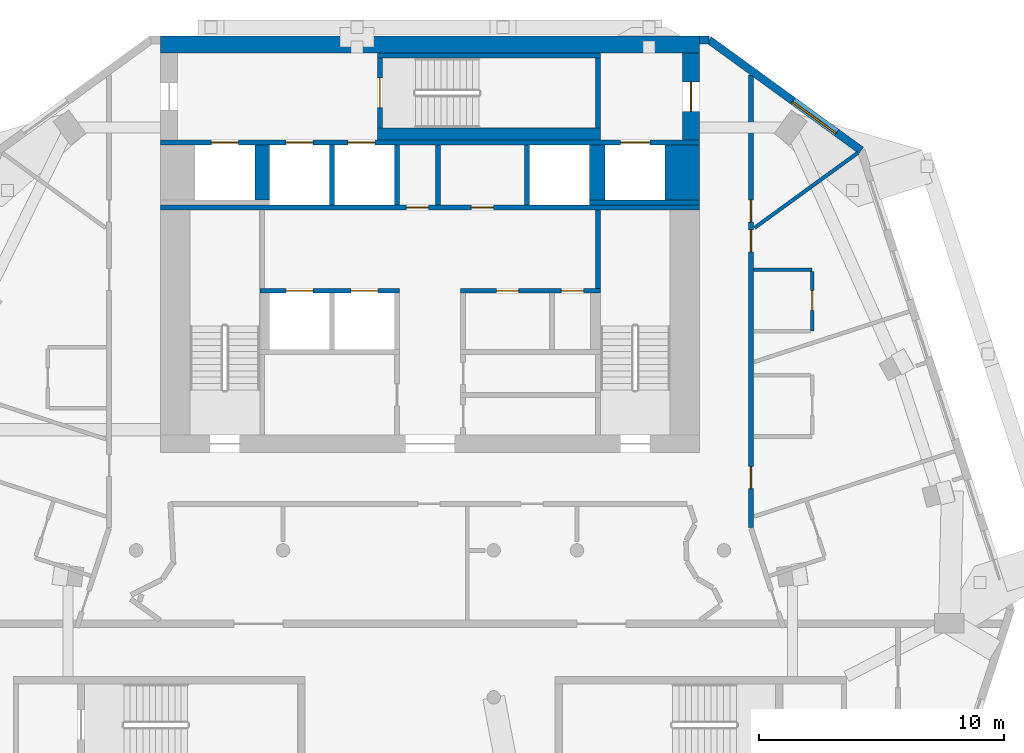
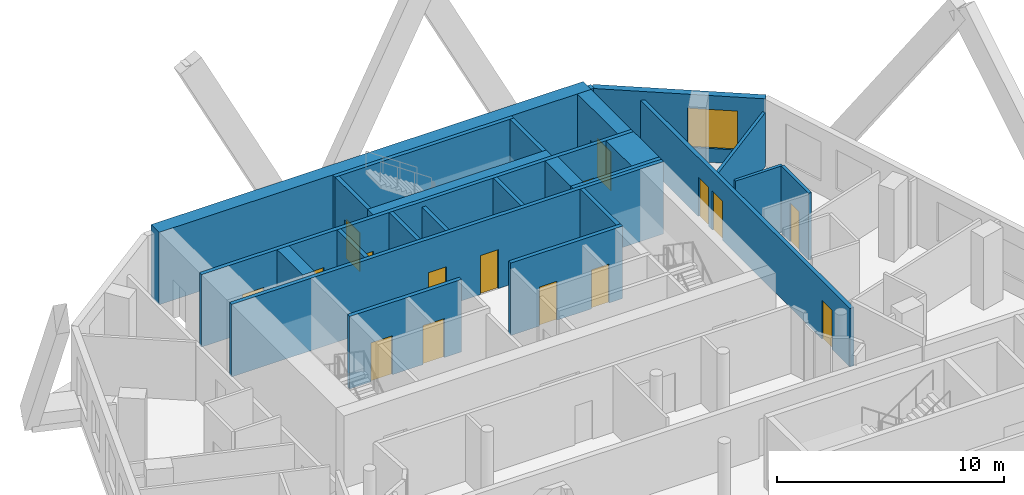
# One storey, part 7 of 10: 25 walls, 16 doors, 1 window, 17 openings.
"""IFC4 building model written with IfcOpenShell, lengths in metres."""

from ifc_helpers import new_model, si_unit, direction, frame, frame_2d, origin, place, context, subcontext, project, spatial, rectangle, extrude, material, layer, layer_set, type_object, element, fill, save


model = new_model("IFC4")

# Units and contexts
model_context = context("Model", 3, precision=1e-05, world=origin(), true_north=direction((0.0, 1.0)))
body_context = subcontext(model_context, "Body", "Model", "MODEL_VIEW")
ifc_project = project(units=[si_unit("LENGTHUNIT", "METRE"), si_unit("AREAUNIT", "SQUARE_METRE"), si_unit("VOLUMEUNIT", "CUBIC_METRE"), si_unit("PLANEANGLEUNIT", "RADIAN"), si_unit("MASSUNIT", "GRAM", prefix="KILO")], contexts=[model_context])

# Site, building, storey
site_placement = place(None, origin())
site = spatial("IfcSite", under=ifc_project, at=site_placement, CompositionType="ELEMENT")
building_placement = place(site_placement, origin())
building = spatial("IfcBuilding", under=site, at=building_placement, Name="White Candle Pilgrim Tower", CompositionType="ELEMENT")
storey_placement = place(building_placement, frame((0.0, 0.0, 248.300048828125)))
storey = spatial("IfcBuildingStorey", under=building, at=storey_placement, Name="L58", CompositionType="ELEMENT", Elevation=248.300048828125)

# Walls
ifc_material_1 = material(Name="Concrete C50/60", Category="concrete")
ifc_layer_1 = layer(ifc_material_1, 1.39990234375)
ifc_layer_set_1 = layer_set([ifc_layer_1], Name="Core wall 1400 mm Concrete C50/60")
wall_type_1 = type_object("IfcWallType", Name="Core wall 1400 mm Concrete C50/60", PredefinedType="SHEAR", material=ifc_layer_set_1)
wall_1_placement = place(storey_placement, frame((80.300048828125, 81.300048828125, 0.0), z_axis=(0.0, 0.0, 1.0), x_axis=(0.0, 1.0, 0.0)))
element("IfcWall", 1, at=wall_1_placement, inside=storey, type_object=wall_type_1, Name="WL-L58-C43", PredefinedType="SHEAR", context=body_context, shape_type="SweptSolid", body=[
    extrude(rectangle(XDim=2.25, YDim=1.39990234375, at=frame_2d((1.125, 0.0))), origin(), (0.0, 0.0, 1.0), 3.89990234375),
])
ifc_layer_2 = layer(ifc_material_1, 0.199951171875)
ifc_layer_set_2 = layer_set([ifc_layer_2], Name="Core wall 200 mm Concrete C50/60")
wall_type_2 = type_object("IfcWallType", Name="Core wall 200 mm Concrete C50/60", PredefinedType="SHEAR", material=ifc_layer_set_2)
wall_2_placement = place(storey_placement, frame((76.5, 81.199951171875, 0.0), z_axis=(0.0, 0.0, 1.0), x_axis=(1.0, 0.0, 0.0)))
element("IfcWall", 2, at=wall_2_placement, inside=storey, type_object=wall_type_2, Name="WL-L58-C39", PredefinedType="SHEAR", context=body_context, shape_type="SweptSolid", body=[
    extrude(rectangle(XDim=4.5, YDim=0.199951171875, at=frame_2d((2.25, 0.0))), origin(), (0.0, 0.0, 1.0), 3.89990234375),
])

# Wall, openings, doors
wall_3_placement = place(storey_placement, frame((59.0, 83.64990234375, 0.0), z_axis=(0.0, 0.0, 1.0), x_axis=(1.0, 0.0, 0.0)))
wall_3 = element("IfcWall", 3, at=wall_3_placement, inside=storey, type_object=wall_type_2, Name="WL-L58-C44", PredefinedType="SHEAR", context=body_context, shape_type="SweptSolid", body=[
    extrude(rectangle(XDim=22.0, YDim=0.199951171875, at=frame_2d((11.0, 0.0))), origin(), (0.0, 0.0, 1.0), 3.89990234375),
])
opening_1_placement = place(wall_3_placement, frame((5.125, 0.0, 0.0)))
opening_1 = element("IfcOpeningElement", 4, at=opening_1_placement, cuts=wall_3, Name="Opening T18-016", PredefinedType="OPENING", context=body_context, shape_type="SweptSolid", body=[
    extrude(rectangle(XDim=1.10009765625, YDim=2.10009765625, at=frame_2d((0.550048828125, 1.050048828125))), frame((0.0, 0.10986328125, 0.0), z_axis=(0.0, -1.0, 0.0), x_axis=(1.0, 0.0, 0.0)), (0.0, 0.0, 1.0), 0.219970703125),
])
opening_2_placement = place(wall_3_placement, frame((7.64990234375, 0.0, 0.0)))
opening_2 = element("IfcOpeningElement", 5, at=opening_2_placement, cuts=wall_3, Name="Opening T18-017", PredefinedType="OPENING", context=body_context, shape_type="SweptSolid", body=[
    extrude(rectangle(XDim=1.10009765625, YDim=2.10009765625, at=frame_2d((0.550048828125, 1.050048828125))), frame((0.0, 0.10986328125, 0.0), z_axis=(0.0, -1.0, 0.0), x_axis=(1.0, 0.0, 0.0)), (0.0, 0.0, 1.0), 0.219970703125),
])
opening_3_placement = place(wall_3_placement, frame((18.77490234375, 0.0, 0.0)))
opening_3 = element("IfcOpeningElement", 6, at=opening_3_placement, cuts=wall_3, Name="Opening T18-018", PredefinedType="OPENING", context=body_context, shape_type="SweptSolid", body=[
    extrude(rectangle(XDim=1.199951171875, YDim=2.10009765625, at=frame_2d((0.60009765625, 1.050048828125))), frame((0.0, 0.10986328125, 0.0), z_axis=(0.0, -1.0, 0.0), x_axis=(1.0, 0.0, 0.0)), (0.0, 0.0, 1.0), 0.219970703125),
])
opening_4_placement = place(wall_3_placement, frame((2.074951171875, 0.0, 0.0)))
opening_4 = element("IfcOpeningElement", 7, at=opening_4_placement, cuts=wall_3, Name="Opening T18-019", PredefinedType="OPENING", context=body_context, shape_type="SweptSolid", body=[
    extrude(rectangle(XDim=1.10009765625, YDim=2.10009765625, at=frame_2d((0.550048828125, 1.050048828125))), frame((0.0, 0.10986328125, 0.0), z_axis=(0.0, -1.0, 0.0), x_axis=(1.0, 0.0, 0.0)), (0.0, 0.0, 1.0), 0.219970703125),
])
ifc_material_2 = material(Name="Stainless steel", Category="steel")
door_type_1 = type_object("IfcDoorType", Name="Lift landing door 1100 x 2100 EI 60", OperationType="DOUBLE_DOOR_SLIDING", PredefinedType="DOOR", material=ifc_material_2)
door_1_placement = place(opening_1_placement, origin())
door_1 = element("IfcDoor", 8, at=door_1_placement, inside=storey, type_object=door_type_1, Name="Door T18-016", OperationType="DOUBLE_DOOR_SLIDING", OverallHeight=2.10009765625, OverallWidth=1.10009765625, PredefinedType="DOOR", context=body_context, shape_type="SweptSolid", body=[
    extrude(rectangle(XDim=1.10009765625, YDim=2.10009765625, at=frame_2d((0.550048828125, 1.050048828125))), frame((0.0, 0.02490234375, 0.0), z_axis=(0.0, -1.0, 0.0), x_axis=(1.0, 0.0, 0.0)), (0.0, 0.0, 1.0), 0.050048828125),
])
fill(opening_1, door_1)
door_2_placement = place(opening_2_placement, origin())
door_2 = element("IfcDoor", 9, at=door_2_placement, inside=storey, type_object=door_type_1, Name="Door T18-017", OperationType="DOUBLE_DOOR_SLIDING", OverallHeight=2.10009765625, OverallWidth=1.10009765625, PredefinedType="DOOR", context=body_context, shape_type="SweptSolid", body=[
    extrude(rectangle(XDim=1.10009765625, YDim=2.10009765625, at=frame_2d((0.550048828125, 1.050048828125))), frame((0.0, 0.02490234375, 0.0), z_axis=(0.0, -1.0, 0.0), x_axis=(1.0, 0.0, 0.0)), (0.0, 0.0, 1.0), 0.050048828125),
])
fill(opening_2, door_2)
door_3_placement = place(opening_4_placement, origin())
door_3 = element("IfcDoor", 10, at=door_3_placement, inside=storey, type_object=door_type_1, Name="Door T18-019", OperationType="DOUBLE_DOOR_SLIDING", OverallHeight=2.10009765625, OverallWidth=1.10009765625, PredefinedType="DOOR", context=body_context, shape_type="SweptSolid", body=[
    extrude(rectangle(XDim=1.10009765625, YDim=2.10009765625, at=frame_2d((0.550048828125, 1.050048828125))), frame((0.0, 0.02490234375, 0.0), z_axis=(0.0, -1.0, 0.0), x_axis=(1.0, 0.0, 0.0)), (0.0, 0.0, 1.0), 0.050048828125),
])
fill(opening_4, door_3)
door_type_2 = type_object("IfcDoorType", Name="Lift landing door 1200 x 2100 E 60", OperationType="DOUBLE_DOOR_SLIDING", PredefinedType="DOOR", material=ifc_material_2)
door_4_placement = place(opening_3_placement, origin())
door_4 = element("IfcDoor", 11, at=door_4_placement, inside=storey, type_object=door_type_2, Name="Door T18-018", OperationType="DOUBLE_DOOR_SLIDING", OverallHeight=2.10009765625, OverallWidth=1.199951171875, PredefinedType="DOOR", context=body_context, shape_type="SweptSolid", body=[
    extrude(rectangle(XDim=1.199951171875, YDim=2.10009765625, at=frame_2d((0.60009765625, 1.050048828125))), frame((0.0, 0.02490234375, 0.0), z_axis=(0.0, -1.0, 0.0), x_axis=(1.0, 0.0, 0.0)), (0.0, 0.0, 1.0), 0.050048828125),
])
fill(opening_3, door_4)

# Wall, opening, door
ifc_layer_3 = layer(ifc_material_1, 0.699951171875)
ifc_layer_set_3 = layer_set([ifc_layer_3], Name="Core wall 700 mm Concrete C50/60")
wall_type_3 = type_object("IfcWallType", Name="Core wall 700 mm Concrete C50/60", PredefinedType="SHEAR", material=ifc_layer_set_3)
wall_4_placement = place(storey_placement, frame((80.64990234375, 83.75, 0.0), z_axis=(0.0, 0.0, 1.0), x_axis=(0.0, 1.0, 0.0)))
wall_4 = element("IfcWall", 12, at=wall_4_placement, inside=storey, type_object=wall_type_3, Name="WL-L58-C47", PredefinedType="SHEAR", context=body_context, shape_type="SweptSolid", body=[
    extrude(rectangle(XDim=3.550048828125, YDim=0.699951171875, at=frame_2d((1.77490234375, 0.0))), origin(), (0.0, 0.0, 1.0), 3.89990234375),
])
opening_5_placement = place(wall_4_placement, frame((1.175048828125, 0.0, 0.0)))
opening_5 = element("IfcOpeningElement", 13, at=opening_5_placement, cuts=wall_4, Name="Opening T18-009", PredefinedType="OPENING", context=body_context, shape_type="SweptSolid", body=[
    extrude(rectangle(XDim=1.199951171875, YDim=2.10009765625, at=frame_2d((0.60009765625, 1.050048828125))), frame((0.0, 0.35986328125, 0.0), z_axis=(0.0, -1.0, 0.0), x_axis=(1.0, 0.0, 0.0)), (0.0, 0.0, 1.0), 0.719970703125),
])
ifc_material_3 = material(Name="Steel door leaf", Category="steel")
door_type_3 = type_object("IfcDoorType", Name="Fire door 1200 x 2100 EI 30", OperationType="NOTDEFINED", PredefinedType="DOOR", material=ifc_material_3)
door_5_placement = place(opening_5_placement, origin())
door_5 = element("IfcDoor", 14, at=door_5_placement, inside=storey, type_object=door_type_3, Name="Door T18-009", OperationType="SINGLE_SWING_LEFT", OverallHeight=2.10009765625, OverallWidth=1.199951171875, PredefinedType="DOOR", context=body_context, shape_type="SweptSolid", body=[
    extrude(rectangle(XDim=1.199951171875, YDim=2.10009765625, at=frame_2d((0.60009765625, 1.050048828125))), frame((0.0, 0.02490234375, 0.0), z_axis=(0.0, -1.0, 0.0), x_axis=(1.0, 0.0, 0.0)), (0.0, 0.0, 1.0), 0.050048828125),
])
fill(opening_5, door_5)

# Wall
wall_5_placement = place(storey_placement, frame((59.0, 87.64990234375, 0.0), z_axis=(0.0, 0.0, 1.0), x_axis=(1.0, 0.0, 0.0)))
element("IfcWall", 15, at=wall_5_placement, inside=storey, type_object=wall_type_3, Name="WL-L58-C51", PredefinedType="SHEAR", context=body_context, shape_type="SweptSolid", body=[
    extrude(rectangle(XDim=22.0, YDim=0.699951171875, at=frame_2d((11.0, 0.0))), origin(), (0.0, 0.0, 1.0), 3.89990234375),
])

# Wall, openings, doors
ifc_material_4 = material(Name="Gypsum board on steel studs", Category="steel")
ifc_layer_4 = layer(ifc_material_4, 0.199951171875)
ifc_layer_set_4 = layer_set([ifc_layer_4], Name="Corridor wall 200 mm EI 45")
wall_type_4 = type_object("IfcWallType", Name="Corridor wall 200 mm EI 45", PredefinedType="PARTITIONING", material=ifc_layer_set_4)
wall_6_placement = place(storey_placement, frame((83.10009765625, 86.396240234375, 0.0), z_axis=(0.0, 0.0, 1.0), x_axis=(0.0, -1.0, 0.0)))
wall_6 = element("IfcWall", 16, at=wall_6_placement, inside=storey, type_object=wall_type_4, Name="WL-L58-P004", PredefinedType="PARTITIONING", context=body_context, shape_type="SweptSolid", body=[
    extrude(rectangle(XDim=18.4677734375, YDim=0.199951171875, at=frame_2d((9.23388671875, 0.0))), origin(), (0.0, 0.0, 1.0), 3.14990234375),
])
opening_6_placement = place(wall_6_placement, frame((5.09033203125, 0.0, 0.0)))
opening_6 = element("IfcOpeningElement", 17, at=opening_6_placement, cuts=wall_6, Name="Opening T18-121", PredefinedType="OPENING", context=body_context, shape_type="SweptSolid", body=[
    extrude(rectangle(XDim=0.89990234375, YDim=2.10009765625, at=frame_2d((0.449951171875, 1.050048828125))), frame((0.0, 0.10986328125, 0.0), z_axis=(0.0, -1.0, 0.0), x_axis=(1.0, 0.0, 0.0)), (0.0, 0.0, 1.0), 0.219970703125),
])
opening_7_placement = place(wall_6_placement, frame((6.31396484375, 0.0, 0.0)))
opening_7 = element("IfcOpeningElement", 18, at=opening_7_placement, cuts=wall_6, Name="Opening T18-122", PredefinedType="OPENING", context=body_context, shape_type="SweptSolid", body=[
    extrude(rectangle(XDim=0.89990234375, YDim=2.10009765625, at=frame_2d((0.449951171875, 1.050048828125))), frame((0.0, 0.10986328125, 0.0), z_axis=(0.0, -1.0, 0.0), x_axis=(1.0, 0.0, 0.0)), (0.0, 0.0, 1.0), 0.219970703125),
])
opening_8_placement = place(wall_6_placement, frame((15.977783203125, 0.0, 0.0)))
opening_8 = element("IfcOpeningElement", 19, at=opening_8_placement, cuts=wall_6, Name="Opening T18-123", PredefinedType="OPENING", context=body_context, shape_type="SweptSolid", body=[
    extrude(rectangle(XDim=0.89990234375, YDim=2.10009765625, at=frame_2d((0.449951171875, 1.050048828125))), frame((0.0, 0.10986328125, 0.0), z_axis=(0.0, -1.0, 0.0), x_axis=(1.0, 0.0, 0.0)), (0.0, 0.0, 1.0), 0.219970703125),
])
door_type_4 = type_object("IfcDoorType", Name="Fire door 900 x 2100 EI 30", OperationType="NOTDEFINED", PredefinedType="DOOR", material=ifc_material_3)
door_6_placement = place(opening_6_placement, origin())
door_6 = element("IfcDoor", 20, at=door_6_placement, inside=storey, type_object=door_type_4, Name="Door T18-121", OperationType="SINGLE_SWING_LEFT", OverallHeight=2.10009765625, OverallWidth=0.89990234375, PredefinedType="DOOR", context=body_context, shape_type="SweptSolid", body=[
    extrude(rectangle(XDim=0.89990234375, YDim=2.10009765625, at=frame_2d((0.449951171875, 1.050048828125))), frame((0.0, 0.02490234375, 0.0), z_axis=(0.0, -1.0, 0.0), x_axis=(1.0, 0.0, 0.0)), (0.0, 0.0, 1.0), 0.050048828125),
])
fill(opening_6, door_6)
door_7_placement = place(opening_7_placement, origin())
door_7 = element("IfcDoor", 21, at=door_7_placement, inside=storey, type_object=door_type_4, Name="Door T18-122", OperationType="SINGLE_SWING_RIGHT", OverallHeight=2.10009765625, OverallWidth=0.89990234375, PredefinedType="DOOR", context=body_context, shape_type="SweptSolid", body=[
    extrude(rectangle(XDim=0.89990234375, YDim=2.10009765625, at=frame_2d((0.449951171875, 1.050048828125))), frame((0.0, 0.02490234375, 0.0), z_axis=(0.0, -1.0, 0.0), x_axis=(1.0, 0.0, 0.0)), (0.0, 0.0, 1.0), 0.050048828125),
])
fill(opening_7, door_7)
door_8_placement = place(opening_8_placement, origin())
door_8 = element("IfcDoor", 22, at=door_8_placement, inside=storey, type_object=door_type_4, Name="Door T18-123", OperationType="SINGLE_SWING_LEFT", OverallHeight=2.10009765625, OverallWidth=0.89990234375, PredefinedType="DOOR", context=body_context, shape_type="SweptSolid", body=[
    extrude(rectangle(XDim=0.89990234375, YDim=2.10009765625, at=frame_2d((0.449951171875, 1.050048828125))), frame((0.0, 0.02490234375, 0.0), z_axis=(0.0, -1.0, 0.0), x_axis=(1.0, 0.0, 0.0)), (0.0, 0.0, 1.0), 0.050048828125),
])
fill(opening_8, door_8)

# Wall, opening, window
ifc_material_5 = material(Name="Precast concrete C40/50", Category="concrete")
ifc_layer_5 = layer(ifc_material_5, 0.320068359375)
ifc_layer_set_5 = layer_set([ifc_layer_5], Name="Facade wall EW1 precast concrete C40/50 pier wall with timber-lined reveals")
wall_type_5 = type_object("IfcWallType", Name="Facade wall EW1 precast concrete C40/50 pier wall with timber-lined reveals", PredefinedType="SOLIDWALL", material=ifc_layer_set_5)
wall_7_placement = place(storey_placement, frame((87.5966796875, 83.326904296875, 0.0), z_axis=(0.0, 0.0, 1.0), x_axis=(-0.809008247786, 0.587797290751, 0.0)))
wall_7 = element("IfcWall", 23, at=wall_7_placement, inside=storey, type_object=wall_type_5, Name="Facade wall L58 NE chamfer", PredefinedType="SOLIDWALL", context=body_context, shape_type="SweptSolid", body=[
    extrude(rectangle(XDim=7.67822265625, YDim=0.320068359375, at=frame_2d((3.839111328125, 0.0))), origin(), (0.0, 0.0, 1.0), 3.599853515625),
])
opening_9_placement = place(wall_7_placement, frame((1.239013671875, 0.0, 0.75)))
opening_9 = element("IfcOpeningElement", 24, at=opening_9_placement, cuts=wall_7, Name="Opening W4", PredefinedType="OPENING", context=body_context, shape_type="SweptSolid", body=[
    extrude(rectangle(XDim=2.199951171875, YDim=2.10009765625, at=frame_2d((1.10009765625, 1.050048828125))), frame((0.0, 0.169921875, 0.0), z_axis=(0.0, -1.0, 0.0), x_axis=(1.0, 0.0, 0.0)), (0.0, 0.0, 1.0), 0.340087890625),
])
ifc_material_6 = material(Name="Timber frame with triple glazing", Category="wood")
window_type = type_object("IfcWindowType", Name="Window W4 2200x2100 timber frame triple glazing", PartitioningType="SINGLE_PANEL", PredefinedType="WINDOW", material=ifc_material_6)
window_placement = place(opening_9_placement, origin())
window = element("IfcWindow", 25, at=window_placement, inside=storey, type_object=window_type, Name="Window W4 L58 NE chamfer 1", OverallHeight=2.10009765625, OverallWidth=2.199951171875, PartitioningType="SINGLE_PANEL", PredefinedType="WINDOW", context=body_context, shape_type="SweptSolid", body=[
    extrude(rectangle(XDim=2.199951171875, YDim=2.10009765625, at=frame_2d((1.10009765625, 1.050048828125))), frame((0.0, 0.070068359375, 0.0), z_axis=(0.0, -1.0, 0.0), x_axis=(1.0, 0.0, 0.0)), (0.0, 0.0, 1.0), 0.06005859375),
])
fill(opening_9, window)

# Walls
wall_8_placement = place(storey_placement, frame((81.385009765625, 87.840087890625, 0.0), z_axis=(0.0, 0.0, 1.0), x_axis=(-1.0, 0.0, 0.0)))
element("IfcWall", 26, at=wall_8_placement, inside=storey, type_object=wall_type_5, Name="Facade wall L58 N", PredefinedType="SOLIDWALL", context=body_context, shape_type="SweptSolid", body=[
    extrude(rectangle(XDim=0.385009765625, YDim=0.320068359375, at=frame_2d((0.1923828125, 0.0))), origin(), (0.0, 0.0, 1.0), 3.599853515625),
])
ifc_layer_6 = layer(ifc_material_4, 0.199951171875)
ifc_layer_set_6 = layer_set([ifc_layer_6], Name="Lobby wall 200 mm EI 60")
wall_type_6 = type_object("IfcWallType", Name="Lobby wall 200 mm EI 60", PredefinedType="PARTITIONING", material=ifc_layer_set_6)
wall_9_placement = place(storey_placement, frame((70.320068359375, 81.10009765625, 0.0), z_axis=(0.0, 0.0, 1.0), x_axis=(0.0, 1.0, 0.0)))
element("IfcWall", 27, at=wall_9_placement, inside=storey, type_object=wall_type_6, Name="WL-L58-C37", PredefinedType="PARTITIONING", context=body_context, shape_type="SweptSolid", body=[
    extrude(rectangle(XDim=2.449951171875, YDim=0.199951171875, at=frame_2d((1.22509765625, 0.0))), origin(), (0.0, 0.0, 1.0), 3.599853515625),
])
ifc_layer_7 = layer(ifc_material_4, 0.14990234375)
ifc_layer_set_7 = layer_set([ifc_layer_7], Name="Partition 150 mm EI 60")
wall_type_7 = type_object("IfcWallType", Name="Partition 150 mm EI 60", PredefinedType="PARTITIONING", material=ifc_layer_set_7)
wall_10_placement = place(storey_placement, frame((87.460693359375, 83.22802734375, 0.0), z_axis=(0.0, 0.0, 1.0), x_axis=(-0.809019578294, -0.587781695816, 0.0)))
element("IfcWall", 28, at=wall_10_placement, inside=storey, type_object=wall_type_7, Name="WL-L58-P030", PredefinedType="PARTITIONING", context=body_context, shape_type="SweptSolid", body=[
    extrude(rectangle(XDim=5.2119140625, YDim=0.14990234375, at=frame_2d((2.60595703125, 0.0))), origin(), (0.0, 0.0, 1.0), 2.89990234375),
])
wall_11_placement = place(storey_placement, frame((83.199951171875, 78.451171875, 0.0), z_axis=(0.0, 0.0, 1.0), x_axis=(1.0, 0.0, 0.0)))
element("IfcWall", 29, at=wall_11_placement, inside=storey, type_object=wall_type_7, Name="WL-L58-P051", PredefinedType="PARTITIONING", context=body_context, shape_type="SweptSolid", body=[
    extrude(rectangle(XDim=2.400146484375, YDim=0.14990234375, at=frame_2d((1.2001953125, 0.0))), origin(), (0.0, 0.0, 1.0), 3.599853515625),
])

# Wall, opening, door
wall_12_placement = place(storey_placement, frame((85.60009765625, 75.951171875, 0.0), z_axis=(0.0, 0.0, 1.0), x_axis=(0.0, 1.0, 0.0)))
wall_12 = element("IfcWall", 30, at=wall_12_placement, inside=storey, type_object=wall_type_7, Name="WL-L58-P052", PredefinedType="PARTITIONING", context=body_context, shape_type="SweptSolid", body=[
    extrude(rectangle(XDim=2.425048828125, YDim=0.14990234375, at=frame_2d((1.21240234375, 0.0))), origin(), (0.0, 0.0, 1.0), 3.599853515625),
])
opening_10_placement = place(wall_12_placement, frame((0.85009765625, 0.0, 0.0)))
opening_10 = element("IfcOpeningElement", 31, at=opening_10_placement, cuts=wall_12, Name="Opening T18-114", PredefinedType="OPENING", context=body_context, shape_type="SweptSolid", body=[
    extrude(rectangle(XDim=0.800048828125, YDim=2.10009765625, at=frame_2d((0.39990234375, 1.050048828125))), frame((0.0, 0.0849609375, 0.0), z_axis=(0.0, -1.0, 0.0), x_axis=(1.0, 0.0, 0.0)), (0.0, 0.0, 1.0), 0.169921875),
])
door_type_5 = type_object("IfcDoorType", Name="Fire door 800 x 2100 EI 30", OperationType="NOTDEFINED", PredefinedType="DOOR", material=ifc_material_3)
door_9_placement = place(opening_10_placement, frame((0.800048828125, 0.0, 0.0), z_axis=(0.0, 0.0, 1.0), x_axis=(-1.0, 0.0, 0.0)))
door_9 = element("IfcDoor", 32, at=door_9_placement, inside=storey, type_object=door_type_5, Name="Door T18-114", OperationType="SINGLE_SWING_LEFT", OverallHeight=2.10009765625, OverallWidth=0.800048828125, PredefinedType="DOOR", context=body_context, shape_type="SweptSolid", body=[
    extrude(rectangle(XDim=0.800048828125, YDim=2.10009765625, at=frame_2d((0.39990234375, 1.050048828125))), frame((0.0, 0.02490234375, 0.0), z_axis=(0.0, -1.0, 0.0), x_axis=(1.0, 0.0, 0.0)), (0.0, 0.0, 1.0), 0.050048828125),
])
fill(opening_10, door_9)

# Walls
ifc_layer_8 = layer(ifc_material_1, 0.199951171875)
ifc_layer_set_8 = layer_set([ifc_layer_8], Name="Shaft wall 200 mm Concrete C50/60")
wall_type_8 = type_object("IfcWallType", Name="Shaft wall 200 mm Concrete C50/60", PredefinedType="SHEAR", material=ifc_layer_set_8)
for number, where, z_axis, x_axis, name in (
    (33, (66.0, 81.10009765625, 0.0), (0.0, 0.0, 1.0), (0.0, 1.0, 0.0), "WL-L58-C35"),
    (34, (68.64990234375, 81.10009765625, 0.0), (0.0, 0.0, 1.0), (0.0, 1.0, 0.0), "WL-L58-C36"),
    (35, (73.949951171875, 81.10009765625, 0.0), (0.0, 0.0, 1.0), (0.0, 1.0, 0.0), "WL-L58-C38"),
):
    element("IfcWall", number, at=place(storey_placement, frame(where, z_axis=z_axis, x_axis=x_axis)), inside=storey, type_object=wall_type_8, Name=name, PredefinedType="SHEAR", context=body_context, shape_type="SweptSolid", body=[
        extrude(rectangle(XDim=2.449951171875, YDim=0.199951171875, at=frame_2d((1.22509765625, 0.0))), origin(), (0.0, 0.0, 1.0), 3.89990234375),
    ])
ifc_layer_9 = layer(ifc_material_1, 0.60009765625)
ifc_layer_set_9 = layer_set([ifc_layer_9], Name="Shaft wall 600 mm Concrete C50/60")
wall_type_9 = type_object("IfcWallType", Name="Shaft wall 600 mm Concrete C50/60", PredefinedType="SHEAR", material=ifc_layer_set_9)
wall_13_placement = place(storey_placement, frame((63.14990234375, 81.300048828125, 0.0), z_axis=(0.0, 0.0, 1.0), x_axis=(0.0, 1.0, 0.0)))
element("IfcWall", 36, at=wall_13_placement, inside=storey, type_object=wall_type_9, Name="WL-L58-C41", PredefinedType="SHEAR", context=body_context, shape_type="SweptSolid", body=[
    extrude(rectangle(XDim=2.25, YDim=0.60009765625, at=frame_2d((1.125, 0.0))), origin(), (0.0, 0.0, 1.0), 3.89990234375),
])
ifc_layer_10 = layer(ifc_material_1, 0.64990234375)
ifc_layer_set_10 = layer_set([ifc_layer_10], Name="Shaft wall 650 mm Concrete C50/60")
wall_type_10 = type_object("IfcWallType", Name="Shaft wall 650 mm Concrete C50/60", PredefinedType="SHEAR", material=ifc_layer_set_10)
wall_14_placement = place(storey_placement, frame((76.824951171875, 81.300048828125, 0.0), z_axis=(0.0, 0.0, 1.0), x_axis=(0.0, 1.0, 0.0)))
element("IfcWall", 37, at=wall_14_placement, inside=storey, type_object=wall_type_10, Name="WL-L58-C42", PredefinedType="SHEAR", context=body_context, shape_type="SweptSolid", body=[
    extrude(rectangle(XDim=2.25, YDim=0.64990234375, at=frame_2d((1.125, 0.0))), origin(), (0.0, 0.0, 1.0), 3.89990234375),
])

# Wall, openings, doors
ifc_layer_11 = layer(ifc_material_1, 0.199951171875)
ifc_layer_set_11 = layer_set([ifc_layer_11], Name="Stair shaft wall 200 mm Concrete C50/60")
wall_type_11 = type_object("IfcWallType", Name="Stair shaft wall 200 mm Concrete C50/60", PredefinedType="SHEAR", material=ifc_layer_set_11)
wall_15_placement = place(storey_placement, frame((63.050048828125, 77.60009765625, 0.0), z_axis=(0.0, 0.0, 1.0), x_axis=(1.0, 0.0, 0.0)))
wall_15 = element("IfcWall", 38, at=wall_15_placement, inside=storey, type_object=wall_type_11, Name="WL-L58-C29", PredefinedType="SHEAR", context=body_context, shape_type="SweptSolid", body=[
    extrude(rectangle(XDim=5.699951171875, YDim=0.199951171875, at=frame_2d((2.85009765625, 0.0))), origin(), (0.0, 0.0, 1.0), 3.89990234375),
])
opening_11_placement = place(wall_15_placement, frame((1.074951171875, 0.0, 0.0)))
opening_11 = element("IfcOpeningElement", 39, at=opening_11_placement, cuts=wall_15, Name="Opening T18-014", PredefinedType="OPENING", context=body_context, shape_type="SweptSolid", body=[
    extrude(rectangle(XDim=1.10009765625, YDim=2.10009765625, at=frame_2d((0.550048828125, 1.050048828125))), frame((0.0, 0.10986328125, 0.0), z_axis=(0.0, -1.0, 0.0), x_axis=(1.0, 0.0, 0.0)), (0.0, 0.0, 1.0), 0.219970703125),
])
opening_12_placement = place(wall_15_placement, frame((3.72509765625, 0.0, 0.0)))
opening_12 = element("IfcOpeningElement", 40, at=opening_12_placement, cuts=wall_15, Name="Opening T18-015", PredefinedType="OPENING", context=body_context, shape_type="SweptSolid", body=[
    extrude(rectangle(XDim=1.10009765625, YDim=2.10009765625, at=frame_2d((0.550048828125, 1.050048828125))), frame((0.0, 0.10986328125, 0.0), z_axis=(0.0, -1.0, 0.0), x_axis=(1.0, 0.0, 0.0)), (0.0, 0.0, 1.0), 0.219970703125),
])
door_type_6 = type_object("IfcDoorType", Name="Lift landing door 1100 x 2100 E 60", OperationType="DOUBLE_DOOR_SLIDING", PredefinedType="DOOR", material=ifc_material_2)
door_10_placement = place(opening_11_placement, origin())
door_10 = element("IfcDoor", 41, at=door_10_placement, inside=storey, type_object=door_type_6, Name="Door T18-014", OperationType="DOUBLE_DOOR_SLIDING", OverallHeight=2.10009765625, OverallWidth=1.10009765625, PredefinedType="DOOR", context=body_context, shape_type="SweptSolid", body=[
    extrude(rectangle(XDim=1.10009765625, YDim=2.10009765625, at=frame_2d((0.550048828125, 1.050048828125))), frame((0.0, 0.02490234375, 0.0), z_axis=(0.0, -1.0, 0.0), x_axis=(1.0, 0.0, 0.0)), (0.0, 0.0, 1.0), 0.050048828125),
])
fill(opening_11, door_10)
door_11_placement = place(opening_12_placement, origin())
door_11 = element("IfcDoor", 42, at=door_11_placement, inside=storey, type_object=door_type_6, Name="Door T18-015", OperationType="DOUBLE_DOOR_SLIDING", OverallHeight=2.10009765625, OverallWidth=1.10009765625, PredefinedType="DOOR", context=body_context, shape_type="SweptSolid", body=[
    extrude(rectangle(XDim=1.10009765625, YDim=2.10009765625, at=frame_2d((0.550048828125, 1.050048828125))), frame((0.0, 0.02490234375, 0.0), z_axis=(0.0, -1.0, 0.0), x_axis=(1.0, 0.0, 0.0)), (0.0, 0.0, 1.0), 0.050048828125),
])
fill(opening_12, door_11)

wall_16_placement = place(storey_placement, frame((71.25, 77.60009765625, 0.0), z_axis=(0.0, 0.0, 1.0), x_axis=(1.0, 0.0, 0.0)))
wall_16 = element("IfcWall", 43, at=wall_16_placement, inside=storey, type_object=wall_type_11, Name="WL-L58-C30", PredefinedType="SHEAR", context=body_context, shape_type="SweptSolid", body=[
    extrude(rectangle(XDim=5.699951171875, YDim=0.199951171875, at=frame_2d((2.85009765625, 0.0))), origin(), (0.0, 0.0, 1.0), 3.89990234375),
])
opening_13_placement = place(wall_16_placement, frame((1.465087890625, 0.0, 0.0)))
opening_13 = element("IfcOpeningElement", 44, at=opening_13_placement, cuts=wall_16, Name="Opening T18-020", PredefinedType="OPENING", context=body_context, shape_type="SweptSolid", body=[
    extrude(rectangle(XDim=0.89990234375, YDim=2.10009765625, at=frame_2d((0.449951171875, 1.050048828125))), frame((0.0, 0.10986328125, 0.0), z_axis=(0.0, -1.0, 0.0), x_axis=(1.0, 0.0, 0.0)), (0.0, 0.0, 1.0), 0.219970703125),
])
opening_14_placement = place(wall_16_placement, frame((4.114990234375, 0.0, 0.0)))
opening_14 = element("IfcOpeningElement", 45, at=opening_14_placement, cuts=wall_16, Name="Opening T18-021", PredefinedType="OPENING", context=body_context, shape_type="SweptSolid", body=[
    extrude(rectangle(XDim=0.89990234375, YDim=2.10009765625, at=frame_2d((0.449951171875, 1.050048828125))), frame((0.0, 0.10986328125, 0.0), z_axis=(0.0, -1.0, 0.0), x_axis=(1.0, 0.0, 0.0)), (0.0, 0.0, 1.0), 0.219970703125),
])
door_12_placement = place(opening_13_placement, origin())
door_12 = element("IfcDoor", 46, at=door_12_placement, inside=storey, type_object=door_type_4, Name="Door T18-020", OperationType="SINGLE_SWING_RIGHT", OverallHeight=2.10009765625, OverallWidth=0.89990234375, PredefinedType="DOOR", context=body_context, shape_type="SweptSolid", body=[
    extrude(rectangle(XDim=0.89990234375, YDim=2.10009765625, at=frame_2d((0.449951171875, 1.050048828125))), frame((0.0, 0.02490234375, 0.0), z_axis=(0.0, -1.0, 0.0), x_axis=(1.0, 0.0, 0.0)), (0.0, 0.0, 1.0), 0.050048828125),
])
fill(opening_13, door_12)
door_13_placement = place(opening_14_placement, origin())
door_13 = element("IfcDoor", 47, at=door_13_placement, inside=storey, type_object=door_type_4, Name="Door T18-021", OperationType="SINGLE_SWING_LEFT", OverallHeight=2.10009765625, OverallWidth=0.89990234375, PredefinedType="DOOR", context=body_context, shape_type="SweptSolid", body=[
    extrude(rectangle(XDim=0.89990234375, YDim=2.10009765625, at=frame_2d((0.449951171875, 1.050048828125))), frame((0.0, 0.02490234375, 0.0), z_axis=(0.0, -1.0, 0.0), x_axis=(1.0, 0.0, 0.0)), (0.0, 0.0, 1.0), 0.050048828125),
])
fill(opening_14, door_13)

# Wall
wall_17_placement = place(storey_placement, frame((76.85009765625, 77.699951171875, 0.0), z_axis=(0.0, 0.0, 1.0), x_axis=(0.0, 1.0, 0.0)))
element("IfcWall", 48, at=wall_17_placement, inside=storey, type_object=wall_type_11, Name="WL-L58-C32", PredefinedType="SHEAR", context=body_context, shape_type="SweptSolid", body=[
    extrude(rectangle(XDim=3.199951171875, YDim=0.199951171875, at=frame_2d((1.60009765625, 0.0))), origin(), (0.0, 0.0, 1.0), 3.89990234375),
])

# Wall, openings, doors
wall_18_placement = place(storey_placement, frame((59.0, 81.0, 0.0), z_axis=(0.0, 0.0, 1.0), x_axis=(1.0, 0.0, 0.0)))
wall_18 = element("IfcWall", 49, at=wall_18_placement, inside=storey, type_object=wall_type_11, Name="WL-L58-C33", PredefinedType="SHEAR", context=body_context, shape_type="SweptSolid", body=[
    extrude(rectangle(XDim=22.0, YDim=0.199951171875, at=frame_2d((11.0, 0.0))), origin(), (0.0, 0.0, 1.0), 3.89990234375),
])
opening_15_placement = place(wall_18_placement, frame((10.034912109375, 0.0, 0.0)))
opening_15 = element("IfcOpeningElement", 50, at=opening_15_placement, cuts=wall_18, Name="Opening T18-022", PredefinedType="OPENING", context=body_context, shape_type="SweptSolid", body=[
    extrude(rectangle(XDim=0.89990234375, YDim=2.10009765625, at=frame_2d((0.449951171875, 1.050048828125))), frame((0.0, 0.10986328125, 0.0), z_axis=(0.0, -1.0, 0.0), x_axis=(1.0, 0.0, 0.0)), (0.0, 0.0, 1.0), 0.219970703125),
])
opening_16_placement = place(wall_18_placement, frame((12.68505859375, 0.0, 0.0)))
opening_16 = element("IfcOpeningElement", 51, at=opening_16_placement, cuts=wall_18, Name="Opening T18-023", PredefinedType="OPENING", context=body_context, shape_type="SweptSolid", body=[
    extrude(rectangle(XDim=0.89990234375, YDim=2.10009765625, at=frame_2d((0.449951171875, 1.050048828125))), frame((0.0, 0.10986328125, 0.0), z_axis=(0.0, -1.0, 0.0), x_axis=(1.0, 0.0, 0.0)), (0.0, 0.0, 1.0), 0.219970703125),
])
door_14_placement = place(opening_15_placement, origin())
door_14 = element("IfcDoor", 52, at=door_14_placement, inside=storey, type_object=door_type_4, Name="Door T18-022", OperationType="SINGLE_SWING_RIGHT", OverallHeight=2.10009765625, OverallWidth=0.89990234375, PredefinedType="DOOR", context=body_context, shape_type="SweptSolid", body=[
    extrude(rectangle(XDim=0.89990234375, YDim=2.10009765625, at=frame_2d((0.449951171875, 1.050048828125))), frame((0.0, 0.02490234375, 0.0), z_axis=(0.0, -1.0, 0.0), x_axis=(1.0, 0.0, 0.0)), (0.0, 0.0, 1.0), 0.050048828125),
])
fill(opening_15, door_14)
door_15_placement = place(opening_16_placement, origin())
door_15 = element("IfcDoor", 53, at=door_15_placement, inside=storey, type_object=door_type_4, Name="Door T18-023", OperationType="SINGLE_SWING_LEFT", OverallHeight=2.10009765625, OverallWidth=0.89990234375, PredefinedType="DOOR", context=body_context, shape_type="SweptSolid", body=[
    extrude(rectangle(XDim=0.89990234375, YDim=2.10009765625, at=frame_2d((0.449951171875, 1.050048828125))), frame((0.0, 0.02490234375, 0.0), z_axis=(0.0, -1.0, 0.0), x_axis=(1.0, 0.0, 0.0)), (0.0, 0.0, 1.0), 0.050048828125),
])
fill(opening_16, door_15)

# Wall, opening, door
wall_19_placement = place(storey_placement, frame((67.949951171875, 84.25, 0.0), z_axis=(0.0, 0.0, 1.0), x_axis=(0.0, 1.0, 0.0)))
wall_19 = element("IfcWall", 54, at=wall_19_placement, inside=storey, type_object=wall_type_11, Name="WL-L58-C48", PredefinedType="SHEAR", context=body_context, shape_type="SweptSolid", body=[
    extrude(rectangle(XDim=2.85009765625, YDim=0.199951171875, at=frame_2d((1.425048828125, 0.0))), origin(), (0.0, 0.0, 1.0), 3.89990234375),
])
opening_17_placement = place(wall_19_placement, frame((0.824951171875, 0.0, 0.0)))
opening_17 = element("IfcOpeningElement", 55, at=opening_17_placement, cuts=wall_19, Name="Opening T18-003", PredefinedType="OPENING", context=body_context, shape_type="SweptSolid", body=[
    extrude(rectangle(XDim=1.199951171875, YDim=2.10009765625, at=frame_2d((0.60009765625, 1.050048828125))), frame((0.0, 0.10986328125, 0.0), z_axis=(0.0, -1.0, 0.0), x_axis=(1.0, 0.0, 0.0)), (0.0, 0.0, 1.0), 0.219970703125),
])
door_type_7 = type_object("IfcDoorType", Name="Fire door 1200 x 2100 EI 60", OperationType="NOTDEFINED", PredefinedType="DOOR", material=ifc_material_3)
door_16_placement = place(opening_17_placement, frame((1.199951171875, 0.0, 0.0), z_axis=(0.0, 0.0, 1.0), x_axis=(-1.0, 0.0, 0.0)))
door_16 = element("IfcDoor", 56, at=door_16_placement, inside=storey, type_object=door_type_7, Name="Door T18-003", OperationType="SINGLE_SWING_RIGHT", OverallHeight=2.10009765625, OverallWidth=1.199951171875, PredefinedType="DOOR", context=body_context, shape_type="SweptSolid", body=[
    extrude(rectangle(XDim=1.199951171875, YDim=2.10009765625, at=frame_2d((0.60009765625, 1.050048828125))), frame((0.0, 0.02490234375, 0.0), z_axis=(0.0, -1.0, 0.0), x_axis=(1.0, 0.0, 0.0)), (0.0, 0.0, 1.0), 0.050048828125),
])
fill(opening_17, door_16)

# Walls
wall_20_placement = place(storey_placement, frame((76.85009765625, 84.25, 0.0), z_axis=(0.0, 0.0, 1.0), x_axis=(0.0, 1.0, 0.0)))
element("IfcWall", 57, at=wall_20_placement, inside=storey, type_object=wall_type_11, Name="WL-L58-C49", PredefinedType="SHEAR", context=body_context, shape_type="SweptSolid", body=[
    extrude(rectangle(XDim=2.85009765625, YDim=0.199951171875, at=frame_2d((1.425048828125, 0.0))), origin(), (0.0, 0.0, 1.0), 3.89990234375),
])
wall_21_placement = place(storey_placement, frame((67.85009765625, 87.199951171875, 0.0), z_axis=(0.0, 0.0, 1.0), x_axis=(1.0, 0.0, 0.0)))
element("IfcWall", 58, at=wall_21_placement, inside=storey, type_object=wall_type_11, Name="WL-L58-C50", PredefinedType="SHEAR", context=body_context, shape_type="SweptSolid", body=[
    extrude(rectangle(XDim=9.099853515625, YDim=0.199951171875, at=frame_2d((4.5498046875, 0.0))), origin(), (0.0, 0.0, 1.0), 3.89990234375),
])
ifc_layer_12 = layer(ifc_material_1, 0.5)
ifc_layer_set_12 = layer_set([ifc_layer_12], Name="Stair shaft wall 500 mm Concrete C50/60")
wall_type_12 = type_object("IfcWallType", Name="Stair shaft wall 500 mm Concrete C50/60", PredefinedType="SHEAR", material=ifc_layer_set_12)
wall_22_placement = place(storey_placement, frame((67.85009765625, 84.0, 0.0), z_axis=(0.0, 0.0, 1.0), x_axis=(1.0, 0.0, 0.0)))
element("IfcWall", 59, at=wall_22_placement, inside=storey, type_object=wall_type_12, Name="WL-L58-C46", PredefinedType="SHEAR", context=body_context, shape_type="SweptSolid", body=[
    extrude(rectangle(XDim=9.099853515625, YDim=0.5, at=frame_2d((4.5498046875, 0.0))), origin(), (0.0, 0.0, 1.0), 3.89990234375),
])

save(model, "model.ifc")
